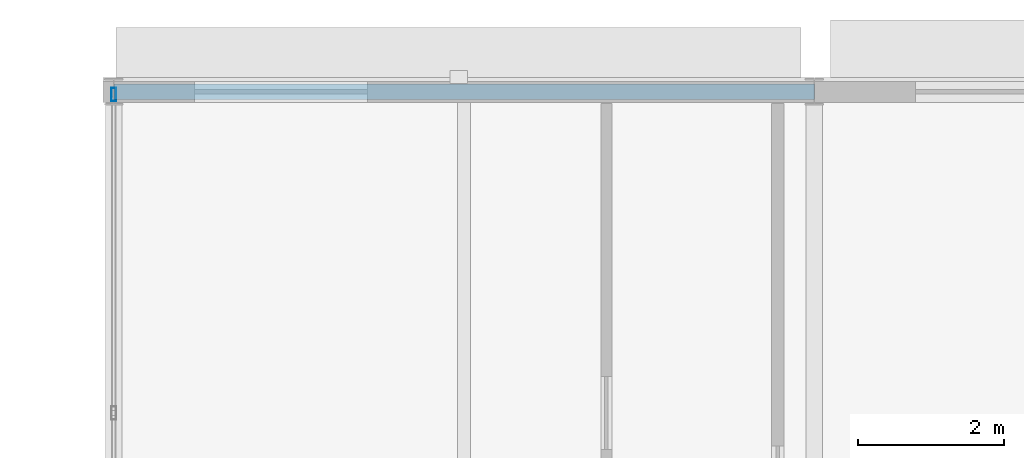
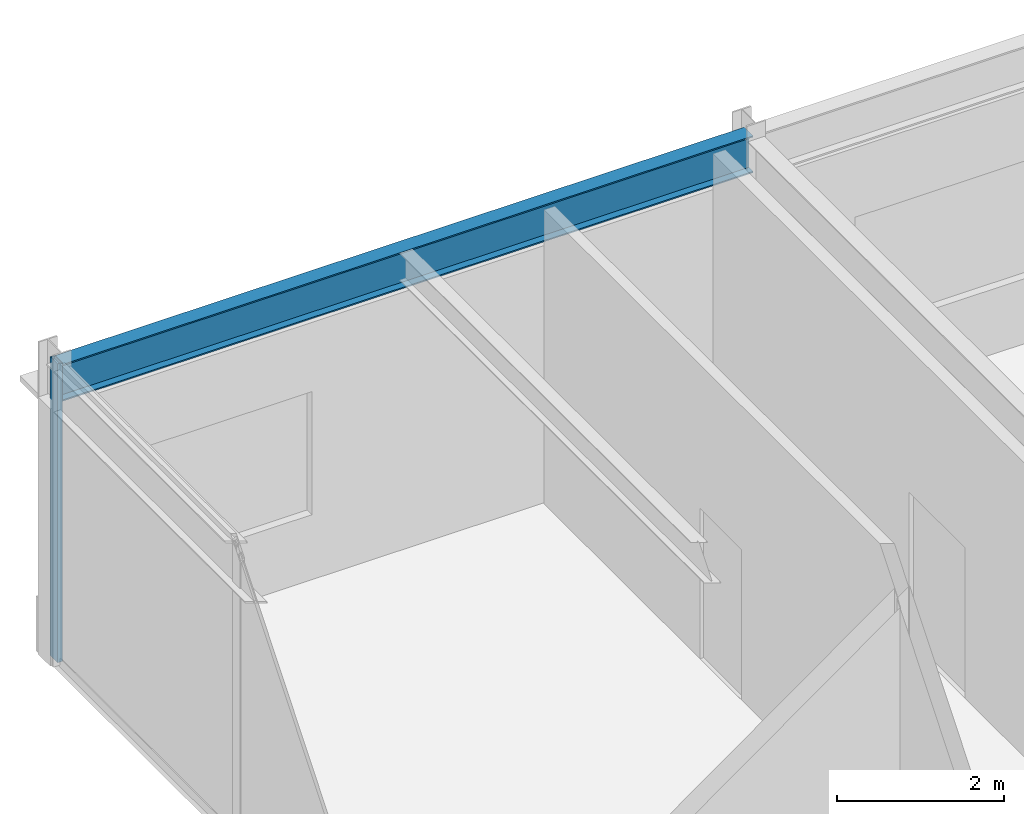
# One storey, part 10 of 17: 1 beam, 1 member, 1 element without a shape of its own.
"""IFC4 building model written with IfcOpenShell, lengths in metres."""

import ifcopenshell
import ifcopenshell.guid

model = None  # the IFC model being written
_history = None  # IfcOwnerHistory: only IFC2X3 demands one
_inside = {}  # id of a spatial element -> (the spatial element, [elements in it])
_under = {}  # id of a project, library or spatial element -> (it, [spatial elements below it])
_declared = {}  # id of a project -> (the project, [libraries it declares])
_typed = {}  # id of a type object -> (the type object, [elements of that type])
_made_of = {}  # id of a material, layer set ... -> (it, [elements and type objects made of it])


def new_model(schema):
    """Start an empty IFC model of exactly this schema.

    Asked for "IFC4X3", IfcOpenShell would pick the latest addendum, in which some entities
    have other attributes; the version numbers below select the first issue.
    IFC2X3 requires an IfcOwnerHistory on every rooted entity: one is made here for all.
    """
    global model, _history
    if schema == "IFC4X3":
        model = ifcopenshell.file(schema_version=(4, 3, 0, 0))
    else:
        model = ifcopenshell.file(schema=schema)
    _inside.clear()
    _under.clear()
    _declared.clear()
    _typed.clear()
    _made_of.clear()
    _history = None
    if model.schema == "IFC2X3":
        org = make("IfcOrganization", Name="unknown")
        user = make(
            "IfcPersonAndOrganization",
            ThePerson=make("IfcPerson", FamilyName="unknown"),
            TheOrganization=org,
        )
        app = make(
            "IfcApplication",
            ApplicationDeveloper=org,
            Version="unknown",
            ApplicationFullName="unknown",
            ApplicationIdentifier="unknown",
        )
        _history = make(
            "IfcOwnerHistory",
            OwningUser=user,
            OwningApplication=app,
            ChangeAction="ADDED",
            CreationDate=0,
        )
    return model


def make(cls, **values):
    """One entity of the class cls with the attributes given. An attribute that is None is left unset."""
    return model.create_entity(
        cls, **{name: value for name, value in values.items() if value is not None}
    )


def rooted(cls, **values):
    """An entity with a GlobalId (a new one), such as an element, a storey or a relation."""
    return make(cls, GlobalId=ifcopenshell.guid.new(), OwnerHistory=_history, **values)


def si_unit(unit_type, name, prefix=None):
    """IfcSIUnit, for example si_unit("LENGTHUNIT", "METRE", prefix="MILLI")."""
    return make("IfcSIUnit", UnitType=unit_type, Prefix=prefix, Name=name)


def assignment(units):
    """IfcUnitAssignment: the units of a project."""
    return None if units is None else make("IfcUnitAssignment", Units=units)


def point(xyz):
    """IfcCartesianPoint."""
    return None if xyz is None else make("IfcCartesianPoint", Coordinates=xyz)


def direction(xyz):
    """IfcDirection."""
    return None if xyz is None else make("IfcDirection", DirectionRatios=xyz)


def frame(location, z_axis=None, x_axis=None):
    """IfcAxis2Placement3D, a coordinate frame: its origin and axes. An axis left out is left unset."""
    return make(
        "IfcAxis2Placement3D",
        Location=point(location),
        Axis=direction(z_axis),
        RefDirection=direction(x_axis),
    )


def frame_2d(location, x_axis=None):
    """IfcAxis2Placement2D, a coordinate frame in the plane: its origin and x axis."""
    return make(
        "IfcAxis2Placement2D", Location=point(location), RefDirection=direction(x_axis)
    )


def origin():
    """The frame at (0, 0, 0) with its axes left unset."""
    return frame((0.0, 0.0, 0.0))


def origin_2d():
    """The frame at (0, 0) in the plane with its x axis left unset."""
    return frame_2d((0.0, 0.0))


def place(relative_to, where):
    """IfcLocalPlacement: puts the frame where relative to a parent placement (None: the world)."""
    return make(
        "IfcLocalPlacement", PlacementRelTo=relative_to, RelativePlacement=where
    )


def context(
    kind, dimensions, precision=None, world=None, true_north=None, identifier=None
):
    """IfcGeometricRepresentationContext, for example the 3D "Model" context."""
    return make(
        "IfcGeometricRepresentationContext",
        ContextIdentifier=identifier,
        ContextType=kind,
        CoordinateSpaceDimension=dimensions,
        Precision=precision,
        WorldCoordinateSystem=world,
        TrueNorth=true_north,
    )


def subcontext(parent, identifier, kind, view, scale=None):
    """IfcGeometricRepresentationSubContext, for example "Body" below "Model"."""
    return make(
        "IfcGeometricRepresentationSubContext",
        ContextIdentifier=identifier,
        ContextType=kind,
        ParentContext=parent,
        TargetScale=scale,
        TargetView=view,
    )


def project(units=None, contexts=None):
    """IfcProject with its units and contexts."""
    return rooted(
        "IfcProject",
        Name="project",
        RepresentationContexts=contexts,
        UnitsInContext=assignment(units),
    )


def spatial(cls, under=None, at=None, **own):
    """A site, building, storey or space (cls), placed at a placement, below another one or the project."""
    s = rooted(cls, ObjectPlacement=at, **own)
    if under is not None:
        _under.setdefault(under.id(), (under, []))[1].append(s)
    return s


def profile(cls, at=None, kind="AREA", **sizes):
    """A parametric profile (cls). Its sizes go by their IFC names, for example OverallWidth=200.0."""
    return make(cls, ProfileType=kind, Position=at, **sizes)


def hollow_rectangle(**sizes):
    """IfcRectangleHollowProfileDef."""
    return profile("IfcRectangleHollowProfileDef", **sizes)


def i_section(**sizes):
    """IfcIShapeProfileDef."""
    return profile("IfcIShapeProfileDef", **sizes)


def extrude(swept, where, along, depth):
    """IfcExtrudedAreaSolid: the profile swept, set in the frame where, extruded along a direction by depth."""
    return make(
        "IfcExtrudedAreaSolid",
        SweptArea=swept,
        Position=where,
        ExtrudedDirection=direction(along),
        Depth=depth,
    )


def shape(context_of_items, identifier, shape_type, items):
    """IfcShapeRepresentation: the items that make up one representation, for example the "Body"."""
    return make(
        "IfcShapeRepresentation",
        ContextOfItems=context_of_items,
        RepresentationIdentifier=identifier,
        RepresentationType=shape_type,
        Items=items,
    )


def material(Name=None, Category=None):
    """IfcMaterial."""
    return make("IfcMaterial", Name=Name, Category=Category)


def material_profile(
    of_material, cross_section, Name=None, Category=None, Priority=None
):
    """IfcMaterialProfile: a cross section and its material."""
    return make(
        "IfcMaterialProfile",
        Name=Name,
        Material=of_material,
        Profile=cross_section,
        Priority=Priority,
        Category=Category,
    )


def profile_set(profiles, Name=None, composite=None):
    """IfcMaterialProfileSet."""
    return make(
        "IfcMaterialProfileSet",
        Name=Name,
        MaterialProfiles=profiles,
        CompositeProfile=composite,
    )


def made_of(thing, what):
    """Note that an element or type object is made of a material, layer set ...; save() writes the relation."""
    if what is not None:
        _made_of.setdefault(what.id(), (what, []))[1].append(thing)
    return thing


def type_object(cls, material=None, **own):
    """A type object (cls), such as IfcWallType, which elements share."""
    return made_of(rooted(cls, **own), material)


def element(
    cls,
    number,
    at=None,
    inside=None,
    cuts=None,
    type_object=None,
    material=None,
    context=None,
    identifier="Body",
    shape_type=None,
    held_by="IfcProductDefinitionShape",
    body=None,
    shapes=None,
    **own,
):
    """One element of the class cls, such as IfcWall. Its Tag is "e" and its number.

    at: its placement. inside: the storey or other place that contains it. cuts: it is an
    opening in that element (IfcRelVoidsElement). A single representation is given by context,
    identifier, shape_type and body (its items); several are given by shapes. held_by: the class
    of the entity that holds the representations. save() writes the other relations.
    """
    e = rooted(cls, Tag="e%d" % number, ObjectPlacement=at, **own)
    if body is not None:
        shapes = [shape(context, identifier, shape_type, body)]
    if shapes is not None:
        e.Representation = make(held_by, Representations=shapes)
    if inside is not None:
        _inside.setdefault(inside.id(), (inside, []))[1].append(e)
    if cuts is not None:
        rooted(
            "IfcRelVoidsElement", RelatingBuildingElement=cuts, RelatedOpeningElement=e
        )
    if type_object is not None:
        _typed.setdefault(type_object.id(), (type_object, []))[1].append(e)
    return made_of(e, material)


def aggregate(whole, parts):
    """IfcRelAggregates: a whole, such as a stair, and the parts it consists of."""
    return rooted("IfcRelAggregates", RelatingObject=whole, RelatedObjects=parts)


def save(model, path):
    """Write the relations noted so far, then the file.

    IfcRelAggregates (storeys below a building ...), IfcRelContainedInSpatialStructure (elements
    in a storey), IfcRelDefinesByType, IfcRelAssociatesMaterial and IfcRelDeclares: one each for
    every whole, place, type object, material and project.
    """
    for whole, parts in _under.values():
        aggregate(whole, parts)
    for where, things in _inside.values():
        rooted(
            "IfcRelContainedInSpatialStructure",
            RelatedElements=things,
            RelatingStructure=where,
        )
    for kind, things in _typed.values():
        rooted("IfcRelDefinesByType", RelatedObjects=things, RelatingType=kind)
    for what, things in _made_of.values():
        rooted("IfcRelAssociatesMaterial", RelatedObjects=things, RelatingMaterial=what)
    for by, libraries in _declared.values():
        rooted("IfcRelDeclares", RelatingContext=by, RelatedDefinitions=libraries)
    model.write(path)


model = new_model("IFC4")

# Units and contexts
model_context = context("Model", 3, precision=1e-05, world=origin(), true_north=direction((0.0, 1.0)))
body_context = subcontext(model_context, "Body", "Model", "MODEL_VIEW")
ifc_project = project(units=[si_unit("LENGTHUNIT", "METRE"), si_unit("AREAUNIT", "SQUARE_METRE"), si_unit("VOLUMEUNIT", "CUBIC_METRE"), si_unit("PLANEANGLEUNIT", "RADIAN"), si_unit("MASSUNIT", "GRAM", prefix="KILO")], contexts=[model_context])

# Site, building, storey
site_placement = place(None, origin())
site = spatial("IfcSite", under=ifc_project, at=site_placement, CompositionType="ELEMENT")
building_placement = place(site_placement, origin())
building = spatial("IfcBuilding", under=site, at=building_placement, Name="Almandine Court Research Institute", CompositionType="ELEMENT")
storey_placement = place(building_placement, frame((0.0, 0.0, 32.550048828125)))
storey = spatial("IfcBuildingStorey", under=building, at=storey_placement, Name="L07", CompositionType="ELEMENT", Elevation=32.550048828125)

# Beam
ifc_material_1 = material(Name="Steel ASTM A992 Grade 50", Category="steel")
ifc_material_profile_1 = material_profile(ifc_material_1, i_section(OverallWidth=0.2109375, OverallDepth=0.5390625, WebThickness=0.011962890625, FlangeThickness=0.01904296875, at=origin_2d()), Name="W530x109")
ifc_profile_set_1 = profile_set([ifc_material_profile_1], Name="Steel ASTM A992 Grade 50")
beam_type = type_object("IfcBeamType", Name="Beam-G-04", PredefinedType="BEAM", material=ifc_profile_set_1)
beam_placement = place(storey_placement, frame((153.60009765625, 70.800048828125, 4.052978515625), z_axis=(1.0, 0.0, 0.0), x_axis=(0.0, 1.0, 0.0)))
element("IfcBeam", 1, at=beam_placement, inside=storey, type_object=beam_type, Name="L07 V4 Primary X Girder", PredefinedType="BEAM", context=body_context, shape_type="SweptSolid", body=[
    extrude(i_section(OverallWidth=0.2109375, OverallDepth=0.5390625, WebThickness=0.011962890625, FlangeThickness=0.01904296875, at=origin_2d()), origin(), (0.0, 0.0, 1.0), 9.599853515625),
])

# Curtain wall, member
ifc_material_2 = material(Name="Unitised Curtain Wall Framing and Solar Glazing", Category="glass")
curtain_wall_type = type_object("IfcCurtainWallType", Name="CW-CWJ-16", PredefinedType="USERDEFINED", material=ifc_material_2)
curtain_wall_placement = place(storey_placement, origin())
curtain_wall = element("IfcCurtainWall", 2, at=curtain_wall_placement, inside=storey, type_object=curtain_wall_type, Name="L07 Wet Lab West Courtyard Jali Curtain Wall 6", ObjectType="SOLAR JALI SCREEN", PredefinedType="USERDEFINED")
ifc_material_3 = material(Name="Anodised Aluminium AW-6063-T6", Category="aluminium")
ifc_material_profile_2 = material_profile(ifc_material_3, hollow_rectangle(XDim=0.06494140625, YDim=0.179931640625, WallThickness=0.00390625, at=origin_2d()), Name="ALU RHS 65x180x4")
ifc_profile_set_2 = profile_set([ifc_material_profile_2], Name="Anodised Aluminium AW-6063-T6")
member_type = type_object("IfcMemberType", Name="CWMul-65x180", PredefinedType="MULLION", material=ifc_profile_set_2)
member_placement = place(storey_placement, frame((153.60009765625, 70.763427734375, 0.0), z_axis=(0.0, 0.0, 1.0), x_axis=(-1.0, 0.0, 0.0)))
member = element("IfcMember", 3, at=member_placement, type_object=member_type, Name="CWJ-16 mullion 4", PredefinedType="MULLION", context=body_context, shape_type="SweptSolid", body=[
    extrude(hollow_rectangle(XDim=0.06494140625, YDim=0.179931640625, WallThickness=0.00390625, at=origin_2d()), origin(), (0.0, 0.0, 1.0), 4.369873046875),
])
aggregate(curtain_wall, [member])

save(model, "model.ifc")
